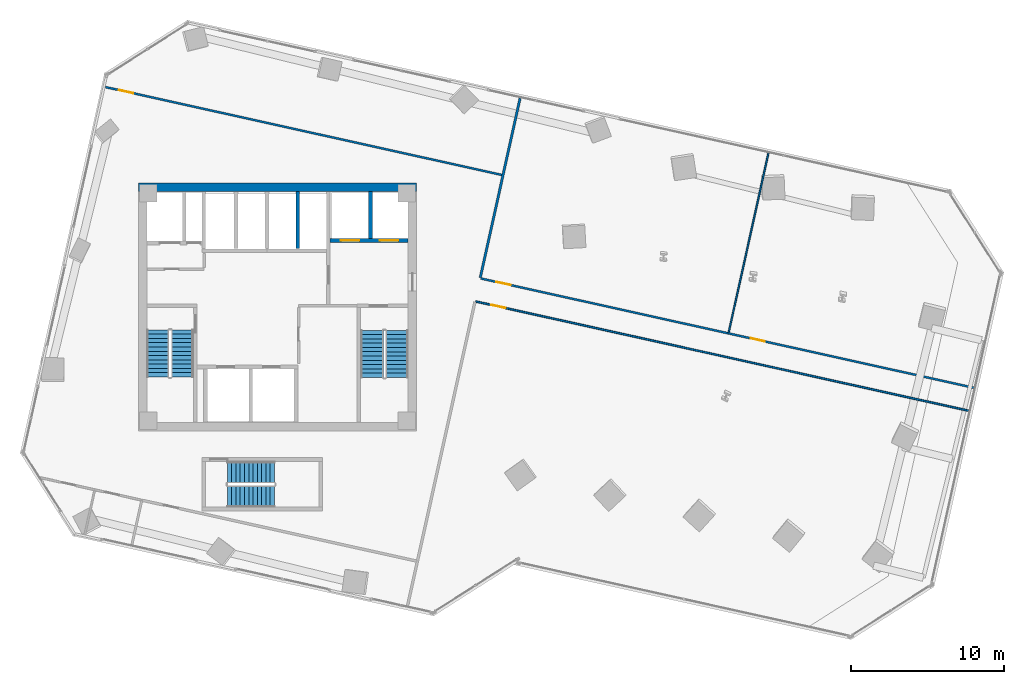
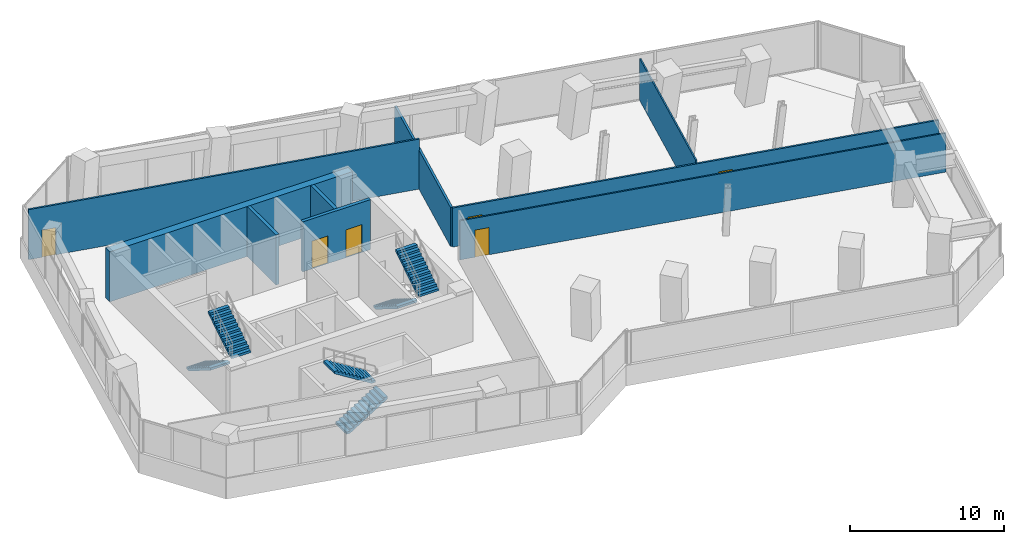
# One storey, part 21 of 25: 9 walls, 6 doors, 6 stair flights, 6 openings, 3 elements without a shape of their own.
"""IFC4 building model written with IfcOpenShell, lengths in metres."""

from ifc_helpers import new_model, si_unit, direction, frame, frame_2d, origin, place, context, subcontext, project, spatial, polyline, rectangle, outline, extrude, source, transform, mapped, material, layer, layer_set, type_object, element, fill, aggregate, save


model = new_model("IFC4")

# Units and contexts
model_context = context("Model", 3, precision=1e-05, world=origin(), true_north=direction((0.0, 1.0)))
body_context = subcontext(model_context, "Body", "Model", "MODEL_VIEW")
ifc_project = project(units=[si_unit("LENGTHUNIT", "METRE"), si_unit("AREAUNIT", "SQUARE_METRE"), si_unit("VOLUMEUNIT", "CUBIC_METRE"), si_unit("PLANEANGLEUNIT", "RADIAN"), si_unit("MASSUNIT", "GRAM", prefix="KILO")], contexts=[model_context])

# Site, building, storey
site_placement = place(None, origin())
site = spatial("IfcSite", under=ifc_project, at=site_placement, CompositionType="ELEMENT")
building_placement = place(site_placement, origin())
building = spatial("IfcBuilding", under=site, at=building_placement, Name="Torre Montelarca", CompositionType="ELEMENT")
storey_placement = place(building_placement, frame((0.0, 0.0, 91.60009765625)))
storey = spatial("IfcBuildingStorey", under=building, at=storey_placement, Name="L20", CompositionType="ELEMENT", Elevation=91.60009765625)

# Wall, openings, doors
ifc_material_1 = material(Name="Concrete C40/50", Category="concrete")
ifc_layer_1 = layer(ifc_material_1, 0.25, Name="Concrete C40/50", Category="concrete")
ifc_layer_set_1 = layer_set([ifc_layer_1], Name="Concrete C40/50")
wall_type_1 = type_object("IfcWallType", Name="CW-SHAFT-250", PredefinedType="SHEAR", material=ifc_layer_set_1)
wall_1_placement = place(storey_placement, frame((21.449951171875, 36.35009765625, 0.0), z_axis=(0.0, 0.0, 1.0), x_axis=(1.0, 0.0, 0.0)))
wall_1 = element("IfcWall", 1, at=wall_1_placement, inside=storey, type_object=wall_type_1, Name="L20 Core Shear Wall SH-FF-S", PredefinedType="SHEAR", context=body_context, shape_type="SweptSolid", body=[
    extrude(rectangle(XDim=5.090087890625, YDim=0.25, at=frame_2d((2.544921875, 0.0))), origin(), (0.0, 0.0, 1.0), 3.9599609375),
])
opening_1_placement = place(wall_1_placement, frame((0.699951171875, 0.0, 0.0)))
opening_1 = element("IfcOpeningElement", 2, at=opening_1_placement, cuts=wall_1, Name="Opening LD-120", PredefinedType="OPENING", context=body_context, shape_type="SweptSolid", body=[
    extrude(rectangle(XDim=1.199951171875, YDim=2.199951171875, at=frame_2d((0.60009765625, 1.10009765625))), frame((0.0, 0.135009765625, 0.0), z_axis=(0.0, -1.0, 0.0), x_axis=(1.0, 0.0, 0.0)), (0.0, 0.0, 1.0), 0.27001953125),
])
opening_2_placement = place(wall_1_placement, frame((3.25, 0.0, 0.0)))
opening_2 = element("IfcOpeningElement", 3, at=opening_2_placement, cuts=wall_1, Name="Opening LD-120", PredefinedType="OPENING", context=body_context, shape_type="SweptSolid", body=[
    extrude(rectangle(XDim=1.199951171875, YDim=2.199951171875, at=frame_2d((0.60009765625, 1.10009765625))), frame((0.0, 0.135009765625, 0.0), z_axis=(0.0, -1.0, 0.0), x_axis=(1.0, 0.0, 0.0)), (0.0, 0.0, 1.0), 0.27001953125),
])
ifc_material_2 = material(Name="Brushed stainless steel AISI 316", Category="steel")
door_type_1 = type_object("IfcDoorType", Name="DR-LIFT-120", OperationType="SLIDING_TO_RIGHT", PredefinedType="DOOR", material=ifc_material_2)
shared_shape_1 = source(origin(), body_context, "Body", "SweptSolid", [
    extrude(rectangle(XDim=1.199951171875, YDim=2.199951171875, at=frame_2d((0.60009765625, 1.10009765625))), frame((0.0, 0.02490234375, 0.0), z_axis=(0.0, -1.0, 0.0), x_axis=(1.0, 0.0, 0.0)), (0.0, 0.0, 1.0), 0.050048828125),
])
door_1_placement = place(opening_1_placement, origin())
door_1 = element("IfcDoor", 4, at=door_1_placement, inside=storey, type_object=door_type_1, Name="L20 Lift Landing Sliding Door FF-1", OperationType="SLIDING_TO_LEFT", OverallHeight=2.199951171875, OverallWidth=1.199951171875, PredefinedType="DOOR", context=body_context, shape_type="MappedRepresentation", body=[
    mapped(shared_shape_1, transform((0.0, 0.0, 0.0), scale=1.0)),
])
fill(opening_1, door_1)
door_2_placement = place(opening_2_placement, origin())
door_2 = element("IfcDoor", 5, at=door_2_placement, inside=storey, type_object=door_type_1, Name="L20 Lift Landing Sliding Door FF-2", OperationType="SLIDING_TO_RIGHT", OverallHeight=2.199951171875, OverallWidth=1.199951171875, PredefinedType="DOOR", context=body_context, shape_type="MappedRepresentation", body=[
    mapped(shared_shape_1, transform((0.0, 0.0, 0.0), scale=1.0)),
])
fill(opening_2, door_2)

# Walls
wall_2_placement = place(storey_placement, frame((24.080078125, 36.47998046875, 0.0), z_axis=(0.0, 0.0, 1.0), x_axis=(0.0, 1.0, 0.0)))
element("IfcWall", 6, at=wall_2_placement, inside=storey, type_object=wall_type_1, Name="L20 Core Shear Wall SH-FF-M", PredefinedType="SHEAR", context=body_context, shape_type="SweptSolid", body=[
    extrude(rectangle(XDim=3.06005859375, YDim=0.25, at=frame_2d((1.530029296875, 0.0))), origin(), (0.0, 0.0, 1.0), 3.9599609375),
])
wall_3_placement = place(storey_placement, frame((19.320068359375, 35.81005859375, 0.0), z_axis=(0.0, 0.0, 1.0), x_axis=(0.0, 1.0, 0.0)))
element("IfcWall", 7, at=wall_3_placement, inside=storey, type_object=wall_type_1, Name="L20 Core Shear Wall SH-PLH-M", PredefinedType="SHEAR", context=body_context, shape_type="SweptSolid", body=[
    extrude(rectangle(XDim=3.72998046875, YDim=0.25, at=frame_2d((1.864990234375, 0.0))), origin(), (0.0, 0.0, 1.0), 3.9599609375),
])
ifc_material_3 = material(Name="Concrete C70/85", Category="concrete")
ifc_layer_2 = layer(ifc_material_3, 0.550048828125, Name="Concrete C70/85", Category="concrete")
ifc_layer_set_2 = layer_set([ifc_layer_2], Name="Concrete C70/85")
wall_type_2 = type_object("IfcWallType", Name="CW-SHEAR-550", PredefinedType="SHEAR", material=ifc_layer_set_2)
wall_4_placement = place(storey_placement, frame((8.89990234375, 39.824951171875, 0.0), z_axis=(0.0, 0.0, 1.0), x_axis=(1.0, 0.0, 0.0)))
element("IfcWall", 8, at=wall_4_placement, inside=storey, type_object=wall_type_2, Name="L20 Core Shear Wall CW-N1", PredefinedType="SHEAR", context=body_context, shape_type="SweptSolid", body=[
    extrude(rectangle(XDim=18.2001953125, YDim=0.550048828125, at=frame_2d((9.10009765625, 0.0))), origin(), (0.0, 0.0, 1.0), 3.9599609375),
])
ifc_material_4 = material(Name="Gypsum plasterboard on steel stud", Category="steel")
ifc_layer_3 = layer(ifc_material_4, 0.159912109375, Name="Gypsum plasterboard on steel stud", Category="steel")
ifc_layer_set_3 = layer_set([ifc_layer_3], Name="Gypsum plasterboard on steel stud")
wall_type_3 = type_object("IfcWallType", Name="PW-FIRE-160", PredefinedType="PARTITIONING", material=ifc_layer_set_3)
wall_5_placement = place(storey_placement, frame((31.265380859375, 33.911865234375, 0.0), z_axis=(0.0, 0.0, 1.0), x_axis=(0.216425867349, 0.976299054564, 0.0)))
element("IfcWall", 9, at=wall_5_placement, inside=storey, type_object=wall_type_3, Name="L20 Interior Partition W-L20-ECN", PredefinedType="PARTITIONING", context=body_context, shape_type="SweptSolid", body=[
    extrude(rectangle(XDim=12.039794921875, YDim=0.159912109375, at=frame_2d((6.02001953125, 0.0))), origin(), (0.0, 0.0, 1.0), 3.094970703125),
])
ifc_material_5 = material(Name="Acoustic laminated glass partition", Category="glass")
ifc_layer_4 = layer(ifc_material_5, 0.10009765625, Name="Acoustic laminated glass partition", Category="glass")
ifc_layer_set_4 = layer_set([ifc_layer_4], Name="Acoustic laminated glass partition")
wall_type_4 = type_object("IfcWallType", Name="PW-GLAZ-100", PredefinedType="PARTITIONING", material=ifc_layer_set_4)
wall_6_placement = place(storey_placement, frame((47.510986328125, 30.310302734375, 0.0), z_axis=(0.0, 0.0, 1.0), x_axis=(0.216425867349, 0.976299054564, 0.0)))
element("IfcWall", 10, at=wall_6_placement, inside=storey, type_object=wall_type_4, Name="L20 Interior Partition W-L20-NEDIV-1", PredefinedType="PARTITIONING", context=body_context, shape_type="SweptSolid", body=[
    extrude(rectangle(XDim=12.039794921875, YDim=0.10009765625, at=frame_2d((6.02001953125, 0.0))), origin(), (0.0, 0.0, 1.0), 3.322998046875),
])

# Wall, opening, door
ifc_layer_5 = layer(ifc_material_4, 0.114990234375, Name="Gypsum plasterboard on steel stud", Category="steel")
ifc_layer_set_5 = layer_set([ifc_layer_5], Name="Gypsum plasterboard on steel stud")
wall_type_5 = type_object("IfcWallType", Name="PW-PART-115", PredefinedType="PARTITIONING", material=ifc_layer_set_5)
wall_7_placement = place(storey_placement, frame((30.96240234375, 32.360595703125, 0.0), z_axis=(0.0, 0.0, 1.0), x_axis=(0.976295538171, -0.216441729221, 0.0)))
wall_7 = element("IfcWall", 11, at=wall_7_placement, inside=storey, type_object=wall_type_5, Name="L20 Interior Partition W-L20-SE-N", PredefinedType="PARTITIONING", context=body_context, shape_type="SweptSolid", body=[
    extrude(rectangle(XDim=33.059814453125, YDim=0.114990234375, at=frame_2d((16.52978515625, 0.0))), origin(), (0.0, 0.0, 1.0), 3.094970703125),
])
opening_3_placement = place(wall_7_placement, frame((1.050048828125, 0.0, 0.0)))
opening_3 = element("IfcOpeningElement", 12, at=opening_3_placement, cuts=wall_7, Name="Opening ID-095", PredefinedType="OPENING", context=body_context, shape_type="SweptSolid", body=[
    extrude(rectangle(XDim=0.949951171875, YDim=2.14990234375, at=frame_2d((0.47509765625, 1.074951171875))), frame((0.0, 0.0673828125, 0.0), z_axis=(0.0, -1.0, 0.0), x_axis=(1.0, 0.0, 0.0)), (0.0, 0.0, 1.0), 0.135009765625),
])
ifc_material_6 = material(Name="Hardwood acoustic timber veneer", Category="wood")
door_type_2 = type_object("IfcDoorType", Name="DR-INT-095", OperationType="NOTDEFINED", PredefinedType="DOOR", material=ifc_material_6)
shared_shape_2 = source(origin(), body_context, "Body", "SweptSolid", [
    extrude(rectangle(XDim=0.949951171875, YDim=2.14990234375, at=frame_2d((0.47509765625, 1.074951171875))), frame((0.0, 0.02490234375, 0.0), z_axis=(0.0, -1.0, 0.0), x_axis=(1.0, 0.0, 0.0)), (0.0, 0.0, 1.0), 0.050048828125),
])
door_3_placement = place(opening_3_placement, origin())
door_3 = element("IfcDoor", 13, at=door_3_placement, inside=storey, type_object=door_type_2, Name="L20 Interior Door 09", OperationType="SINGLE_SWING_LEFT", OverallHeight=2.14990234375, OverallWidth=0.949951171875, PredefinedType="DOOR", context=body_context, shape_type="MappedRepresentation", body=[
    mapped(shared_shape_2, transform((0.0, 0.0, 0.0), scale=1.0)),
])
fill(opening_3, door_3)

ifc_layer_6 = layer(ifc_material_4, 0.135009765625, Name="Gypsum plasterboard on steel stud", Category="steel")
ifc_layer_set_6 = layer_set([ifc_layer_6], Name="Gypsum plasterboard on steel stud")
wall_type_6 = type_object("IfcWallType", Name="PW-PART-135", PredefinedType="PARTITIONING", material=ifc_layer_set_6)
wall_8_placement = place(storey_placement, frame((6.74365234375, 46.384765625, 0.0), z_axis=(0.0, 0.0, 1.0), x_axis=(0.976297719541, -0.216431889561, 0.0)))
wall_8 = element("IfcWall", 14, at=wall_8_placement, inside=storey, type_object=wall_type_6, Name="L20 Interior Partition W-L20-NBOT", PredefinedType="PARTITIONING", context=body_context, shape_type="SweptSolid", body=[
    extrude(rectangle(XDim=26.599853515625, YDim=0.135009765625, at=frame_2d((13.2998046875, 0.0))), origin(), (0.0, 0.0, 1.0), 3.9599609375),
])
opening_4_placement = place(wall_8_placement, frame((0.909912109375, 0.0, 0.0)))
opening_4 = element("IfcOpeningElement", 15, at=opening_4_placement, cuts=wall_8, Name="Opening ID-095", PredefinedType="OPENING", context=body_context, shape_type="SweptSolid", body=[
    extrude(rectangle(XDim=0.949951171875, YDim=2.14990234375, at=frame_2d((0.47509765625, 1.074951171875))), frame((0.0, 0.07763671875, 0.0), z_axis=(0.0, -1.0, 0.0), x_axis=(1.0, 0.0, 0.0)), (0.0, 0.0, 1.0), 0.155029296875),
])
door_4_placement = place(opening_4_placement, origin())
door_4 = element("IfcDoor", 16, at=door_4_placement, inside=storey, type_object=door_type_2, Name="L20 Interior Door 06", OperationType="SINGLE_SWING_LEFT", OverallHeight=2.14990234375, OverallWidth=0.949951171875, PredefinedType="DOOR", context=body_context, shape_type="MappedRepresentation", body=[
    mapped(shared_shape_2, transform((0.0, 0.0, 0.0), scale=1.0)),
])
fill(opening_4, door_4)

# Wall, openings, doors
wall_9_placement = place(storey_placement, frame((31.295654296875, 33.864013671875, 0.0), z_axis=(0.0, 0.0, 1.0), x_axis=(0.976295884124, -0.216440168738, 0.0)))
wall_9 = element("IfcWall", 17, at=wall_9_placement, inside=storey, type_object=wall_type_6, Name="L20 Interior Partition W-L20-NE-S", PredefinedType="PARTITIONING", context=body_context, shape_type="SweptSolid", body=[
    extrude(rectangle(XDim=33.06005859375, YDim=0.135009765625, at=frame_2d((16.530029296875, 0.0))), origin(), (0.0, 0.0, 1.0), 3.094970703125),
])
opening_5_placement = place(wall_9_placement, frame((1.050048828125, 0.0, 0.0)))
opening_5 = element("IfcOpeningElement", 18, at=opening_5_placement, cuts=wall_9, Name="Opening ID-095", PredefinedType="OPENING", context=body_context, shape_type="SweptSolid", body=[
    extrude(rectangle(XDim=0.949951171875, YDim=2.14990234375, at=frame_2d((0.47509765625, 1.074951171875))), frame((0.0, 0.07763671875, 0.0), z_axis=(0.0, -1.0, 0.0), x_axis=(1.0, 0.0, 0.0)), (0.0, 0.0, 1.0), 0.155029296875),
])
opening_6_placement = place(wall_9_placement, frame((18.090087890625, 0.0, 0.0)))
opening_6 = element("IfcOpeningElement", 19, at=opening_6_placement, cuts=wall_9, Name="Opening ID-095", PredefinedType="OPENING", context=body_context, shape_type="SweptSolid", body=[
    extrude(rectangle(XDim=0.949951171875, YDim=2.14990234375, at=frame_2d((0.47509765625, 1.074951171875))), frame((0.0, 0.07763671875, 0.0), z_axis=(0.0, -1.0, 0.0), x_axis=(1.0, 0.0, 0.0)), (0.0, 0.0, 1.0), 0.155029296875),
])
door_5_placement = place(opening_5_placement, origin())
door_5 = element("IfcDoor", 20, at=door_5_placement, inside=storey, type_object=door_type_2, Name="L20 Interior Door 07", OperationType="SINGLE_SWING_LEFT", OverallHeight=2.14990234375, OverallWidth=0.949951171875, PredefinedType="DOOR", context=body_context, shape_type="MappedRepresentation", body=[
    mapped(shared_shape_2, transform((0.0, 0.0, 0.0), scale=1.0)),
])
fill(opening_5, door_5)
door_6_placement = place(opening_6_placement, origin())
door_6 = element("IfcDoor", 21, at=door_6_placement, inside=storey, type_object=door_type_2, Name="L20 Interior Door 08", OperationType="SINGLE_SWING_RIGHT", OverallHeight=2.14990234375, OverallWidth=0.949951171875, PredefinedType="DOOR", context=body_context, shape_type="MappedRepresentation", body=[
    mapped(shared_shape_2, transform((0.0, 0.0, 0.0), scale=1.0)),
])
fill(opening_6, door_6)

# Stair, stair flights
stair_type_1 = type_object("IfcStairType", Name="ST-CORE-ST1", PredefinedType="HALF_TURN_STAIR", material=ifc_material_1)
stair_1_placement = place(storey_placement, origin())
stair_1 = element("IfcStair", 22, at=stair_1_placement, inside=storey, type_object=stair_type_1, Name="L20 Protected Exit Stair ST1", PredefinedType="HALF_TURN_STAIR")
stair_flight_type_1 = type_object("IfcStairFlightType", Name="SFL-CORE-ST1", PredefinedType="STRAIGHT", material=ifc_material_1)
stair_flight_1_placement = place(storey_placement, frame((10.175048828125, 30.5, 0.0), z_axis=(0.0, 0.0, 1.0), x_axis=(0.0, -1.0, 0.0)))
stair_flight_1 = element("IfcStairFlight", 23, at=stair_flight_1_placement, type_object=stair_flight_type_1, Name="ST1 flight 1", NumberOfRisers=12, NumberOfTreads=11, PredefinedType="STRAIGHT", RiserHeight=0.175, TreadLength=0.28, context=body_context, shape_type="SweptSolid", body=[
    extrude(outline(polyline([(0.0, 0.0), (0.0, 0.175048828125), (0.280029296875, 0.175048828125), (0.280029296875, 0.35009765625), (0.56005859375, 0.35009765625), (0.56005859375, 0.52490234375), (0.840087890625, 0.52490234375), (0.840087890625, 0.699951171875), (1.1201171875, 0.699951171875), (1.1201171875, 0.875), (1.39990234375, 0.875), (1.39990234375, 1.050048828125), (1.679931640625, 1.050048828125), (1.679931640625, 1.22509765625), (1.9599609375, 1.22509765625), (1.9599609375, 1.39990234375), (2.239990234375, 1.39990234375), (2.239990234375, 1.574951171875), (2.52001953125, 1.574951171875), (2.52001953125, 1.75), (2.800048828125, 1.75), (2.800048828125, 1.925048828125), (3.080078125, 1.925048828125), (3.080078125, 2.10009765625), (3.080078125, 1.748291015625), (0.28271484375, 0.0), (0.0, 0.0)])), frame((0.0, 0.72509765625, 0.0), z_axis=(0.0, -1.0, 0.0), x_axis=(1.0, 0.0, 0.0)), (0.0, 0.0, 1.0), 1.449951171875),
])
stair_flight_2_placement = place(storey_placement, frame((11.77490234375, 27.419921875, 2.099853515625), z_axis=(0.0, 0.0, 1.0), x_axis=(0.0, 1.0, 0.0)))
stair_flight_2 = element("IfcStairFlight", 24, at=stair_flight_2_placement, type_object=stair_flight_type_1, Name="ST1 flight 2", NumberOfRisers=12, NumberOfTreads=11, PredefinedType="STRAIGHT", RiserHeight=0.175, TreadLength=0.28, context=body_context, shape_type="SweptSolid", body=[
    extrude(outline(polyline([(0.0, 0.0), (0.0, 0.175048828125), (0.280029296875, 0.175048828125), (0.280029296875, 0.35009765625), (0.56005859375, 0.35009765625), (0.56005859375, 0.52490234375), (0.840087890625, 0.52490234375), (0.840087890625, 0.699951171875), (1.1201171875, 0.699951171875), (1.1201171875, 0.875), (1.39990234375, 0.875), (1.39990234375, 1.050048828125), (1.679931640625, 1.050048828125), (1.679931640625, 1.22509765625), (1.9599609375, 1.22509765625), (1.9599609375, 1.39990234375), (2.239990234375, 1.39990234375), (2.239990234375, 1.574951171875), (2.52001953125, 1.574951171875), (2.52001953125, 1.75), (2.800048828125, 1.75), (2.800048828125, 1.925048828125), (3.080078125, 1.925048828125), (3.080078125, 2.10009765625), (3.080078125, 1.748291015625), (0.28271484375, 0.0), (0.0, 0.0)])), frame((0.0, 0.72509765625, 0.0), z_axis=(0.0, -1.0, 0.0), x_axis=(1.0, 0.0, 0.0)), (0.0, 0.0, 1.0), 1.449951171875),
])
aggregate(stair_1, [stair_flight_1, stair_flight_2])

stair_type_2 = type_object("IfcStairType", Name="ST-CORE-ST2", PredefinedType="HALF_TURN_STAIR", material=ifc_material_1)
stair_2_placement = place(storey_placement, origin())
stair_2 = element("IfcStair", 25, at=stair_2_placement, inside=storey, type_object=stair_type_2, Name="L20 Protected Exit Stair ST2", PredefinedType="HALF_TURN_STAIR")
stair_flight_type_2 = type_object("IfcStairFlightType", Name="SFL-CORE-ST2", PredefinedType="STRAIGHT", material=ifc_material_1)
stair_flight_3_placement = place(storey_placement, frame((24.179931640625, 30.469970703125, 0.0), z_axis=(0.0, 0.0, 1.0), x_axis=(0.0, -1.0, 0.0)))
stair_flight_3 = element("IfcStairFlight", 26, at=stair_flight_3_placement, type_object=stair_flight_type_2, Name="ST2 flight 1", NumberOfRisers=12, NumberOfTreads=11, PredefinedType="STRAIGHT", RiserHeight=0.175, TreadLength=0.28, context=body_context, shape_type="SweptSolid", body=[
    extrude(outline(polyline([(0.0, 0.0), (0.0, 0.175048828125), (0.280029296875, 0.175048828125), (0.280029296875, 0.35009765625), (0.56005859375, 0.35009765625), (0.56005859375, 0.52490234375), (0.840087890625, 0.52490234375), (0.840087890625, 0.699951171875), (1.1201171875, 0.699951171875), (1.1201171875, 0.875), (1.39990234375, 0.875), (1.39990234375, 1.050048828125), (1.679931640625, 1.050048828125), (1.679931640625, 1.22509765625), (1.9599609375, 1.22509765625), (1.9599609375, 1.39990234375), (2.239990234375, 1.39990234375), (2.239990234375, 1.574951171875), (2.52001953125, 1.574951171875), (2.52001953125, 1.75), (2.800048828125, 1.75), (2.800048828125, 1.925048828125), (3.080078125, 1.925048828125), (3.080078125, 2.10009765625), (3.080078125, 1.748291015625), (0.28271484375, 0.0), (0.0, 0.0)])), frame((0.0, 0.739990234375, 0.0), z_axis=(0.0, -1.0, 0.0), x_axis=(1.0, 0.0, 0.0)), (0.0, 0.0, 1.0), 1.47998046875),
])
stair_flight_4_placement = place(storey_placement, frame((25.81005859375, 27.389892578125, 2.099853515625), z_axis=(0.0, 0.0, 1.0), x_axis=(0.0, 1.0, 0.0)))
stair_flight_4 = element("IfcStairFlight", 27, at=stair_flight_4_placement, type_object=stair_flight_type_2, Name="ST2 flight 2", NumberOfRisers=12, NumberOfTreads=11, PredefinedType="STRAIGHT", RiserHeight=0.175, TreadLength=0.28, context=body_context, shape_type="SweptSolid", body=[
    extrude(outline(polyline([(0.0, 0.0), (0.0, 0.175048828125), (0.280029296875, 0.175048828125), (0.280029296875, 0.35009765625), (0.56005859375, 0.35009765625), (0.56005859375, 0.52490234375), (0.840087890625, 0.52490234375), (0.840087890625, 0.699951171875), (1.1201171875, 0.699951171875), (1.1201171875, 0.875), (1.39990234375, 0.875), (1.39990234375, 1.050048828125), (1.679931640625, 1.050048828125), (1.679931640625, 1.22509765625), (1.9599609375, 1.22509765625), (1.9599609375, 1.39990234375), (2.239990234375, 1.39990234375), (2.239990234375, 1.574951171875), (2.52001953125, 1.574951171875), (2.52001953125, 1.75), (2.800048828125, 1.75), (2.800048828125, 1.925048828125), (3.080078125, 1.925048828125), (3.080078125, 2.10009765625), (3.080078125, 1.748291015625), (0.28271484375, 0.0), (0.0, 0.0)])), frame((0.0, 0.739990234375, 0.0), z_axis=(0.0, -1.0, 0.0), x_axis=(1.0, 0.0, 0.0)), (0.0, 0.0, 1.0), 1.47998046875),
])
aggregate(stair_2, [stair_flight_3, stair_flight_4])

stair_type_3 = type_object("IfcStairType", Name="ST-CORE-ST3", PredefinedType="HALF_TURN_STAIR", material=ifc_material_1)
stair_3_placement = place(storey_placement, origin())
stair_3 = element("IfcStair", 28, at=stair_3_placement, inside=storey, type_object=stair_type_3, Name="L20 Low-Rise Exit Stair ST3", PredefinedType="HALF_TURN_STAIR")
stair_flight_type_3 = type_object("IfcStairFlightType", Name="SFL-CORE-ST3", PredefinedType="STRAIGHT", material=ifc_material_1)
stair_flight_5_placement = place(storey_placement, frame((14.719970703125, 19.610107421875, 0.0), z_axis=(0.0, 0.0, 1.0), x_axis=(1.0, 0.0, 0.0)))
stair_flight_5 = element("IfcStairFlight", 29, at=stair_flight_5_placement, type_object=stair_flight_type_3, Name="ST3 flight 1", NumberOfRisers=12, NumberOfTreads=11, PredefinedType="STRAIGHT", RiserHeight=0.175, TreadLength=0.28, context=body_context, shape_type="SweptSolid", body=[
    extrude(outline(polyline([(0.0, 0.0), (0.0, 0.175048828125), (0.280029296875, 0.175048828125), (0.280029296875, 0.35009765625), (0.56005859375, 0.35009765625), (0.56005859375, 0.52490234375), (0.840087890625, 0.52490234375), (0.840087890625, 0.699951171875), (1.1201171875, 0.699951171875), (1.1201171875, 0.875), (1.39990234375, 0.875), (1.39990234375, 1.050048828125), (1.679931640625, 1.050048828125), (1.679931640625, 1.22509765625), (1.9599609375, 1.22509765625), (1.9599609375, 1.39990234375), (2.239990234375, 1.39990234375), (2.239990234375, 1.574951171875), (2.52001953125, 1.574951171875), (2.52001953125, 1.75), (2.800048828125, 1.75), (2.800048828125, 1.925048828125), (3.080078125, 1.925048828125), (3.080078125, 2.10009765625), (3.080078125, 1.748291015625), (0.28271484375, 0.0), (0.0, 0.0)])), frame((0.0, 0.7099609375, 0.0), z_axis=(0.0, -1.0, 0.0), x_axis=(1.0, 0.0, 0.0)), (0.0, 0.0, 1.0), 1.419921875),
])
stair_flight_6_placement = place(storey_placement, frame((17.800048828125, 21.179931640625, 2.099853515625), z_axis=(0.0, 0.0, 1.0), x_axis=(-1.0, 0.0, 0.0)))
stair_flight_6 = element("IfcStairFlight", 30, at=stair_flight_6_placement, type_object=stair_flight_type_3, Name="ST3 flight 2", NumberOfRisers=12, NumberOfTreads=11, PredefinedType="STRAIGHT", RiserHeight=0.175, TreadLength=0.28, context=body_context, shape_type="SweptSolid", body=[
    extrude(outline(polyline([(0.0, 0.0), (0.0, 0.175048828125), (0.280029296875, 0.175048828125), (0.280029296875, 0.35009765625), (0.56005859375, 0.35009765625), (0.56005859375, 0.52490234375), (0.840087890625, 0.52490234375), (0.840087890625, 0.699951171875), (1.1201171875, 0.699951171875), (1.1201171875, 0.875), (1.39990234375, 0.875), (1.39990234375, 1.050048828125), (1.679931640625, 1.050048828125), (1.679931640625, 1.22509765625), (1.9599609375, 1.22509765625), (1.9599609375, 1.39990234375), (2.239990234375, 1.39990234375), (2.239990234375, 1.574951171875), (2.52001953125, 1.574951171875), (2.52001953125, 1.75), (2.800048828125, 1.75), (2.800048828125, 1.925048828125), (3.080078125, 1.925048828125), (3.080078125, 2.10009765625), (3.080078125, 1.748291015625), (0.28271484375, 0.0), (0.0, 0.0)])), frame((0.0, 0.7099609375, 0.0), z_axis=(0.0, -1.0, 0.0), x_axis=(1.0, 0.0, 0.0)), (0.0, 0.0, 1.0), 1.419921875),
])
aggregate(stair_3, [stair_flight_5, stair_flight_6])

save(model, "model.ifc")
